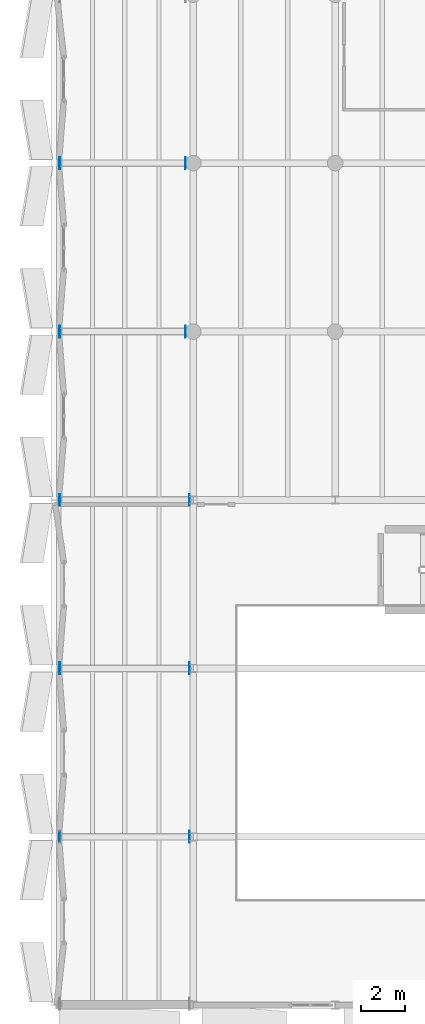
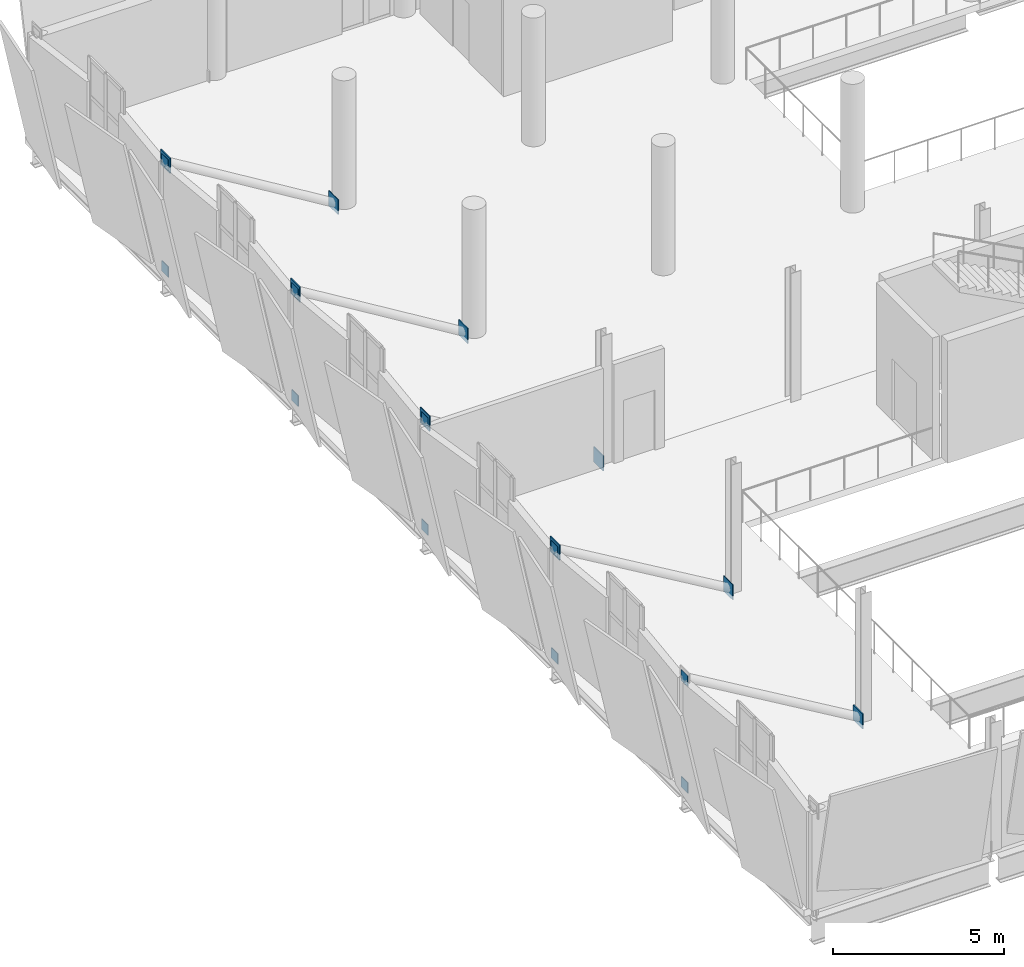
# One storey, part 111 of 136: 19 plates.
"""IFC4 building model written with IfcOpenShell, lengths in metres."""

from ifc_helpers import new_model, si_unit, direction, frame, origin, origin_2d, place, context, subcontext, project, spatial, rectangle, extrude, material, layer, layer_set, type_object, element, save


model = new_model("IFC4")

# Units and contexts
model_context = context("Model", 3, precision=1e-05, world=origin(), true_north=direction((0.0, 1.0)))
body_context = subcontext(model_context, "Body", "Model", "MODEL_VIEW")
ifc_project = project(units=[si_unit("LENGTHUNIT", "METRE"), si_unit("AREAUNIT", "SQUARE_METRE"), si_unit("VOLUMEUNIT", "CUBIC_METRE"), si_unit("PLANEANGLEUNIT", "RADIAN"), si_unit("MASSUNIT", "GRAM", prefix="KILO")], contexts=[model_context])

# Site, building, storey
site_placement = place(None, origin())
site = spatial("IfcSite", under=ifc_project, at=site_placement, CompositionType="ELEMENT")
building_placement = place(site_placement, origin())
building = spatial("IfcBuilding", under=site, at=building_placement, Name="Shengluoqiao Park Theatre", CompositionType="ELEMENT")
storey_placement = place(building_placement, frame((0.0, 0.0, 10.0)))
storey = spatial("IfcBuildingStorey", under=building, at=storey_placement, Name="L02", CompositionType="ELEMENT", Elevation=10.0)

# Plates
ifc_material = material(Name="Steel Q390", Category="steel")
ifc_layer_1 = layer(ifc_material, 0.02392578125, Name="Steel Q390")
ifc_layer_set_1 = layer_set([ifc_layer_1], Name="Steel Q390")
plate_type_1 = type_object("IfcPlateType", Name="STR-PLT-EC-360", PredefinedType="SHEET", material=ifc_layer_set_1)
for number, where, z_axis, x_axis, name in (
    (1, (0.360107421875, 38.0, -0.44091796875), (0.0, 0.0, 1.0), (1.0, 0.0, 0.0), "Hollow Tube End Cap Plate 00054"),
    (2, (0.360107421875, 38.0, 3.381103515625), (0.0, 0.0, 1.0), (1.0, 0.0, 0.0), "Hollow Tube End Cap Plate 00055"),
    (3, (0.360107421875, 45.60009765625, -0.44091796875), (0.0, 0.0, 1.0), (1.0, 0.0, 0.0), "Hollow Tube End Cap Plate 00066"),
    (4, (0.360107421875, 45.60009765625, 3.381103515625), (0.0, 0.0, 1.0), (1.0, 0.0, 0.0), "Hollow Tube End Cap Plate 00067"),
    (5, (0.360107421875, 53.199951171875, -0.44091796875), (0.0, 0.0, 1.0), (1.0, 0.0, 0.0), "Hollow Tube End Cap Plate 00078"),
    (6, (0.360107421875, 53.199951171875, 3.381103515625), (0.0, 0.0, 1.0), (1.0, 0.0, 0.0), "Hollow Tube End Cap Plate 00079"),
    (7, (0.360107421875, 60.800048828125, -0.44091796875), (0.0, 0.0, 1.0), (1.0, 0.0, 0.0), "Hollow Tube End Cap Plate 00090"),
    (8, (0.360107421875, 60.800048828125, 3.381103515625), (0.0, 0.0, 1.0), (1.0, 0.0, 0.0), "Hollow Tube End Cap Plate 00091"),
    (9, (0.360107421875, 68.39990234375, -0.44091796875), (0.0, 0.0, 1.0), (1.0, 0.0, 0.0), "Hollow Tube End Cap Plate 00102"),
    (10, (0.360107421875, 68.39990234375, 3.381103515625), (0.0, 0.0, 1.0), (1.0, 0.0, 0.0), "Hollow Tube End Cap Plate 00103"),
):
    element("IfcPlate", number, at=place(storey_placement, frame(where, z_axis=z_axis, x_axis=x_axis)), inside=storey, type_object=plate_type_1, Name=name, PredefinedType="SHEET", context=body_context, shape_type="SweptSolid", body=[
        extrude(rectangle(XDim=0.02392578125, YDim=0.3798828125, at=origin_2d()), origin(), (0.0, 0.0, 1.0), 0.3798828125),
    ])
ifc_layer_2 = layer(ifc_material, 0.033935546875, Name="Steel Q390")
ifc_layer_set_2 = layer_set([ifc_layer_2], Name="Steel Q390")
plate_type_2 = type_object("IfcPlateType", Name="STR-PLT-EC-540", PredefinedType="SHEET", material=ifc_layer_set_2)
for number, where, z_axis, x_axis, name in (
    (11, (6.22900390625, 38.0, -0.142822265625), (0.0, 0.0, 1.0), (-1.0, 0.0, 0.0), "Hollow Tube End Cap Plate 00052"),
    (12, (6.22900390625, 45.60009765625, -0.142822265625), (0.0, 0.0, 1.0), (-1.0, 0.0, 0.0), "Hollow Tube End Cap Plate 00064"),
    (13, (0.3720703125, 45.60009765625, 3.322998046875), (0.0, 0.0, 1.0), (-1.0, 0.0, 0.0), "Hollow Tube End Cap Plate 00065"),
    (14, (6.22900390625, 53.199951171875, -0.142822265625), (0.0, 0.0, 1.0), (-1.0, 0.0, 0.0), "Hollow Tube End Cap Plate 00076"),
    (15, (0.3720703125, 53.199951171875, 3.322998046875), (0.0, 0.0, 1.0), (-1.0, 0.0, 0.0), "Hollow Tube End Cap Plate 00077"),
    (16, (6.052978515625, 60.800048828125, -0.142822265625), (0.0, 0.0, 1.0), (-1.0, 0.0, 0.0), "Hollow Tube End Cap Plate 00088"),
    (17, (0.3720703125, 60.800048828125, 3.32275390625), (0.0, 0.0, 1.0), (-1.0, 0.0, 0.0), "Hollow Tube End Cap Plate 00089"),
    (18, (6.052978515625, 68.39990234375, -0.142822265625), (0.0, 0.0, 1.0), (-1.0, 0.0, 0.0), "Hollow Tube End Cap Plate 00100"),
    (19, (0.3720703125, 68.39990234375, 3.32275390625), (0.0, 0.0, 1.0), (-1.0, 0.0, 0.0), "Hollow Tube End Cap Plate 00101"),
):
    element("IfcPlate", number, at=place(storey_placement, frame(where, z_axis=z_axis, x_axis=x_axis)), inside=storey, type_object=plate_type_2, Name=name, PredefinedType="SHEET", context=body_context, shape_type="SweptSolid", body=[
        extrude(rectangle(XDim=0.033935546875, YDim=0.5400390625, at=origin_2d()), origin(), (0.0, 0.0, 1.0), 0.5400390625),
    ])

save(model, "model.ifc")
